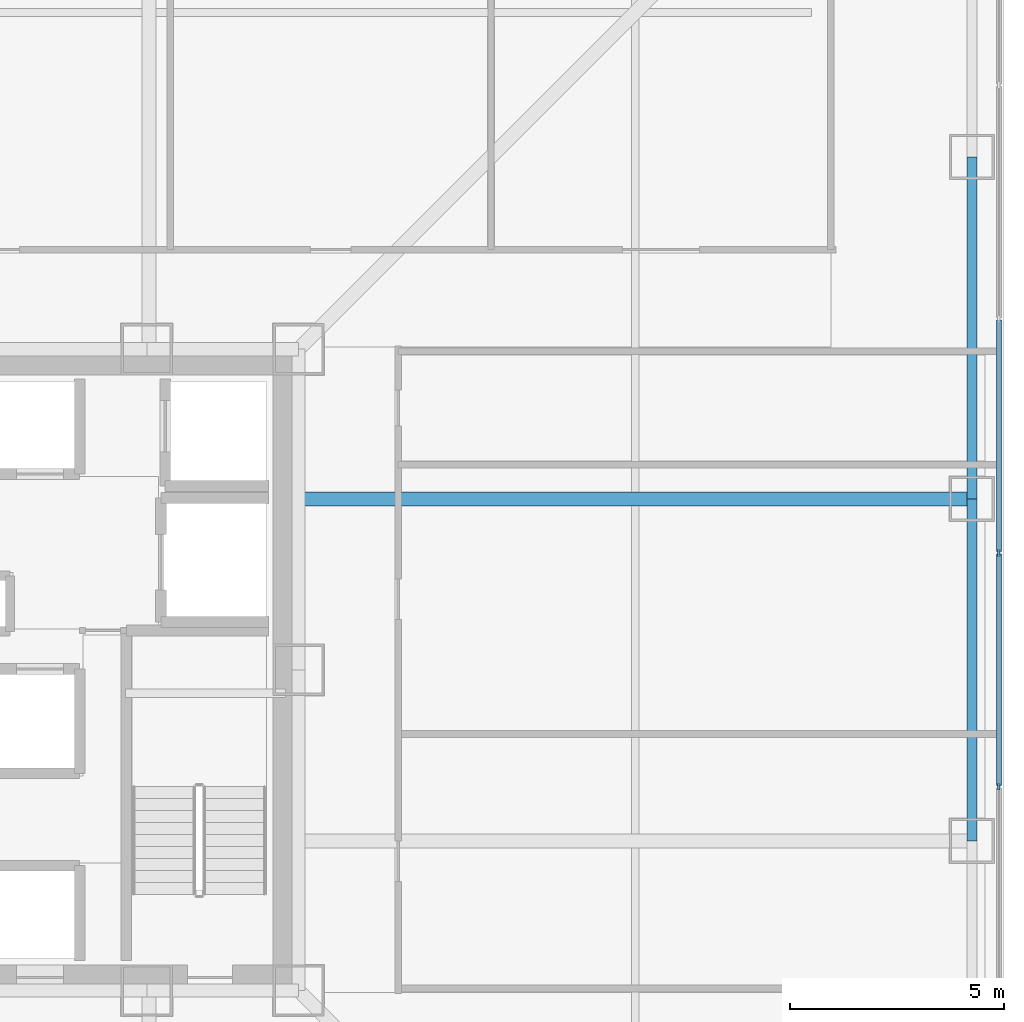
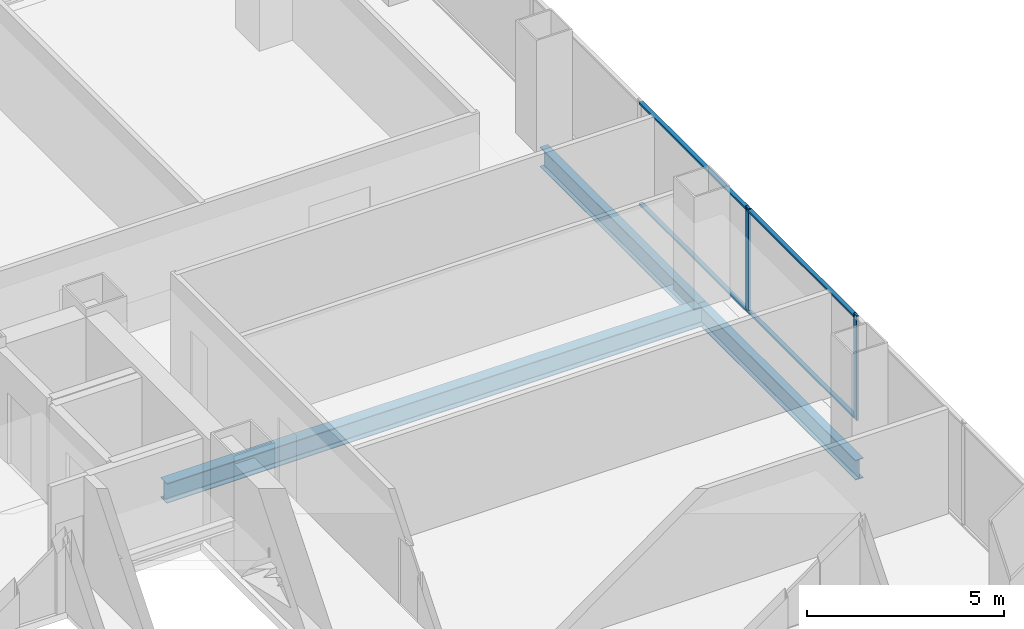
# One storey, part 10 of 20: 6 members, 3 beams, 1 element without a shape of its own.
"""IFC4 building model written with IfcOpenShell, lengths in metres."""

from ifc_helpers import new_model, si_unit, direction, frame, origin, origin_2d, place, context, subcontext, project, spatial, rectangle, i_section, extrude, material, layer, layer_set, material_profile, profile_set, type_object, element, aggregate, save


model = new_model("IFC4")

# Units and contexts
model_context = context("Model", 3, precision=1e-05, world=origin(), true_north=direction((0.0, 1.0)))
body_context = subcontext(model_context, "Body", "Model", "MODEL_VIEW")
ifc_project = project(units=[si_unit("LENGTHUNIT", "METRE"), si_unit("AREAUNIT", "SQUARE_METRE"), si_unit("VOLUMEUNIT", "CUBIC_METRE"), si_unit("PLANEANGLEUNIT", "RADIAN"), si_unit("MASSUNIT", "GRAM", prefix="KILO")], contexts=[model_context])

# Site, building, storey
site_placement = place(None, origin())
site = spatial("IfcSite", under=ifc_project, at=site_placement, CompositionType="ELEMENT")
building_placement = place(site_placement, origin())
building = spatial("IfcBuilding", under=site, at=building_placement, Name="Trevonay Congress Spire", CompositionType="ELEMENT")
storey_placement = place(building_placement, frame((0.0, 0.0, 62.0)))
storey = spatial("IfcBuildingStorey", under=building, at=storey_placement, Name="L15", CompositionType="ELEMENT", Elevation=62.0)

# Beams
ifc_material_1 = material(Name="Steel ASTM A572 Grade 50", Category="steel")
ifc_material_profile_1 = material_profile(ifc_material_1, i_section(OverallWidth=0.324951171875, OverallDepth=0.615966796875, WebThickness=0.013916015625, FlangeThickness=0.021484375, FilletRadius=0.01806640625, at=origin_2d()), Name="W610x174")
ifc_profile_set_1 = profile_set([ifc_material_profile_1], Name="Steel ASTM A572 Grade 50")
beam_type_1 = type_object("IfcBeamType", Name="BM-GIRD-W610X174", PredefinedType="BEAM", material=ifc_profile_set_1)
beam_placement = place(storey_placement, frame((7.5, 4.0, -0.55810546875), z_axis=(1.0, 0.0, 0.0), x_axis=(0.0, 1.0, 0.0)))
element("IfcBeam", 1, at=beam_placement, inside=storey, type_object=beam_type_1, Name="L15 structural beam BM-L15-GE-P", PredefinedType="BEAM", context=body_context, shape_type="SweptSolid", body=[
    extrude(i_section(OverallWidth=0.324951171875, OverallDepth=0.615966796875, WebThickness=0.013916015625, FlangeThickness=0.021484375, FilletRadius=0.01806640625, at=origin_2d()), origin(), (0.0, 0.0, 1.0), 15.75),
])
ifc_material_profile_2 = material_profile(ifc_material_1, i_section(OverallWidth=0.22998046875, OverallDepth=0.616943359375, WebThickness=0.01318359375, FlangeThickness=0.022216796875, FilletRadius=0.01611328125, at=origin_2d()), Name="W610x140")
ifc_profile_set_2 = profile_set([ifc_material_profile_2], Name="Steel ASTM A572 Grade 50")
beam_type_2 = type_object("IfcBeamType", Name="BM-RING-W610X140", PredefinedType="BEAM", material=ifc_profile_set_2)
for number, where, z_axis, x_axis, name in (
    (2, (23.25, -4.0, -0.55859375), (0.0, 1.0, 0.0), (-1.0, 0.0, 0.0), "L15 structural beam BM-L15-PE3"),
    (3, (23.25, 4.0, -0.55859375), (0.0, 1.0, 0.0), (-1.0, 0.0, 0.0), "L15 structural beam BM-L15-PE4"),
):
    element("IfcBeam", number, at=place(storey_placement, frame(where, z_axis=z_axis, x_axis=x_axis)), inside=storey, type_object=beam_type_2, Name=name, PredefinedType="BEAM", context=body_context, shape_type="SweptSolid", body=[
        extrude(i_section(OverallWidth=0.22998046875, OverallDepth=0.616943359375, WebThickness=0.01318359375, FlangeThickness=0.022216796875, FilletRadius=0.01611328125, at=origin_2d()), origin(), (0.0, 0.0, 1.0), 8.0),
    ])

# Curtain wall, members
ifc_material_2 = material(Name="Pale Anodised Aluminium EN AW-6063-T6", Category="aluminium")
ifc_layer = layer(ifc_material_2, 0.179931640625, Name="Pale Anodised Aluminium EN AW-6063-T6")
ifc_layer_set = layer_set([ifc_layer], Name="Pale Anodised Aluminium EN AW-6063-T6")
curtain_wall_type = type_object("IfcCurtainWallType", Name="CW-SYS02-HOTEL-PALE-METAL", PredefinedType="NOTDEFINED", material=ifc_layer_set)
curtain_wall_placement = place(storey_placement, origin())
curtain_wall = element("IfcCurtainWall", 4, at=curtain_wall_placement, inside=storey, type_object=curtain_wall_type, Name="L15 E unitised curtain wall", PredefinedType="NOTDEFINED")
ifc_material_profile_3 = material_profile(ifc_material_2, rectangle(XDim=0.06005859375, YDim=0.159912109375, at=origin_2d()), Name="CW-MULLION-160-ALUMINIUM")
ifc_profile_set_3 = profile_set([ifc_material_profile_3], Name="Pale Anodised Aluminium EN AW-6063-T6")
member_type_1 = type_object("IfcMemberType", Name="CW-MULLION-160-ALUMINIUM", PredefinedType="MULLION", material=ifc_profile_set_3)
member_1_placement = place(storey_placement, frame((23.8798828125, -2.735595703125, 0.0), z_axis=(0.0, 0.0, 1.0), x_axis=(-1.0, 0.0, 0.0)))
member_1 = element("IfcMember", 5, at=member_1_placement, type_object=member_type_1, Name="CW02 mullion 4", PredefinedType="MULLION", context=body_context, shape_type="SweptSolid", body=[
    extrude(rectangle(XDim=0.06005859375, YDim=0.159912109375, at=origin_2d()), origin(), (0.0, 0.0, 1.0), 3.25),
])
member_2_placement = place(storey_placement, frame((23.8798828125, 2.735595703125, 0.0), z_axis=(0.0, 0.0, 1.0), x_axis=(-1.0, 0.0, 0.0)))
member_2 = element("IfcMember", 6, at=member_2_placement, type_object=member_type_1, Name="CW02 mullion 5", PredefinedType="MULLION", context=body_context, shape_type="SweptSolid", body=[
    extrude(rectangle(XDim=0.06005859375, YDim=0.159912109375, at=origin_2d()), origin(), (0.0, 0.0, 1.0), 3.25),
])
ifc_material_profile_4 = material_profile(ifc_material_2, rectangle(XDim=0.1201171875, YDim=0.06005859375, at=origin_2d()), Name="CW-TRANSOM-120-ALUMINIUM")
ifc_profile_set_4 = profile_set([ifc_material_profile_4], Name="Pale Anodised Aluminium EN AW-6063-T6")
member_type_2 = type_object("IfcMemberType", Name="CW-TRANSOM-120-ALUMINIUM", PredefinedType="USERDEFINED", material=ifc_profile_set_4)
member_3_placement = place(storey_placement, frame((23.8798828125, -2.705810546875, 0.06005859375), z_axis=(0.0, 1.0, 0.0), x_axis=(-1.0, 0.0, 0.0)))
member_3 = element("IfcMember", 7, at=member_3_placement, type_object=member_type_2, Name="CW02 transom 4.1", ObjectType="TRANSOM", PredefinedType="USERDEFINED", context=body_context, shape_type="SweptSolid", body=[
    extrude(rectangle(XDim=0.1201171875, YDim=0.06005859375, at=origin_2d()), origin(), (0.0, 0.0, 1.0), 5.41162109375),
])
member_4_placement = place(storey_placement, frame((23.8798828125, -2.705810546875, 3.18994140625), z_axis=(0.0, 1.0, 0.0), x_axis=(-1.0, 0.0, 0.0)))
member_4 = element("IfcMember", 8, at=member_4_placement, type_object=member_type_2, Name="CW02 transom 4.2", ObjectType="TRANSOM", PredefinedType="USERDEFINED", context=body_context, shape_type="SweptSolid", body=[
    extrude(rectangle(XDim=0.1201171875, YDim=0.06005859375, at=origin_2d()), origin(), (0.0, 0.0, 1.0), 5.41162109375),
])
member_5_placement = place(storey_placement, frame((23.8798828125, 2.765625, 0.06005859375), z_axis=(0.0, 1.0, 0.0), x_axis=(-1.0, 0.0, 0.0)))
member_5 = element("IfcMember", 9, at=member_5_placement, type_object=member_type_2, Name="CW02 transom 5.1", ObjectType="TRANSOM", PredefinedType="USERDEFINED", context=body_context, shape_type="SweptSolid", body=[
    extrude(rectangle(XDim=0.1201171875, YDim=0.06005859375, at=origin_2d()), origin(), (0.0, 0.0, 1.0), 5.41162109375),
])
member_6_placement = place(storey_placement, frame((23.8798828125, 2.765625, 3.18994140625), z_axis=(0.0, 1.0, 0.0), x_axis=(-1.0, 0.0, 0.0)))
member_6 = element("IfcMember", 10, at=member_6_placement, type_object=member_type_2, Name="CW02 transom 5.2", ObjectType="TRANSOM", PredefinedType="USERDEFINED", context=body_context, shape_type="SweptSolid", body=[
    extrude(rectangle(XDim=0.1201171875, YDim=0.06005859375, at=origin_2d()), origin(), (0.0, 0.0, 1.0), 5.41162109375),
])
aggregate(curtain_wall, [member_1, member_2, member_3, member_4, member_5, member_6])

save(model, "model.ifc")
